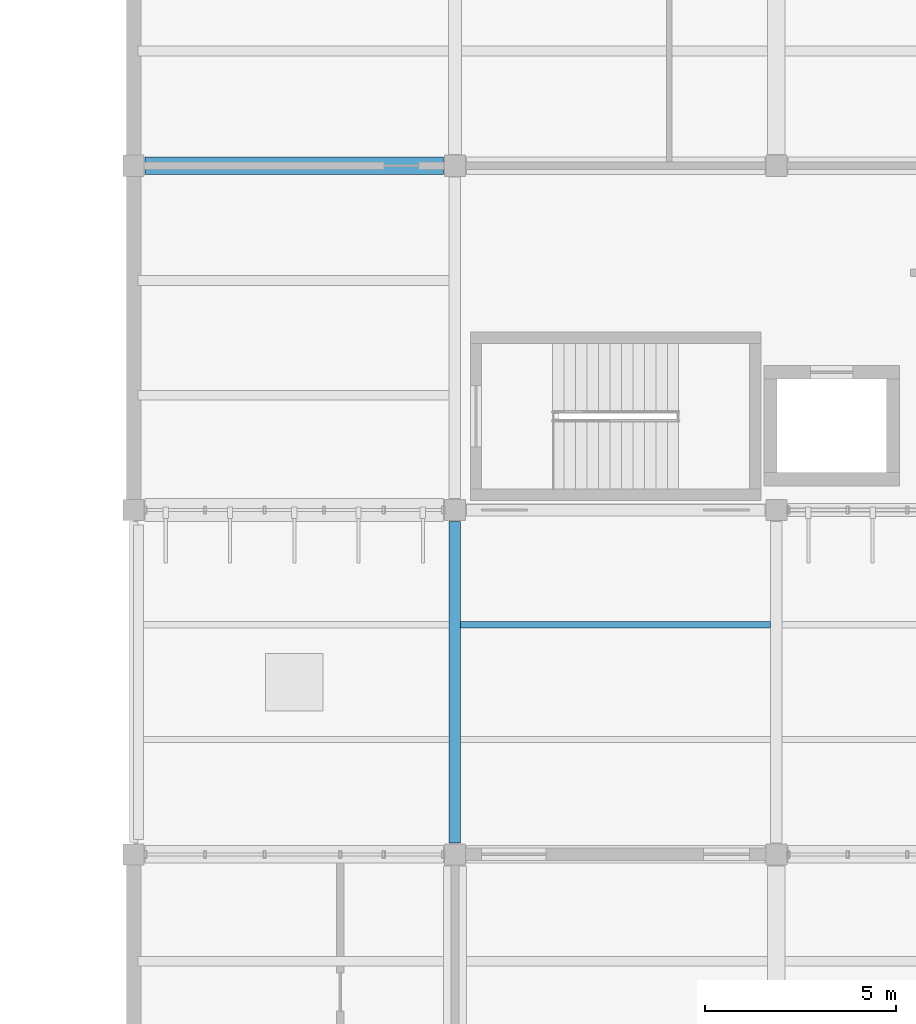
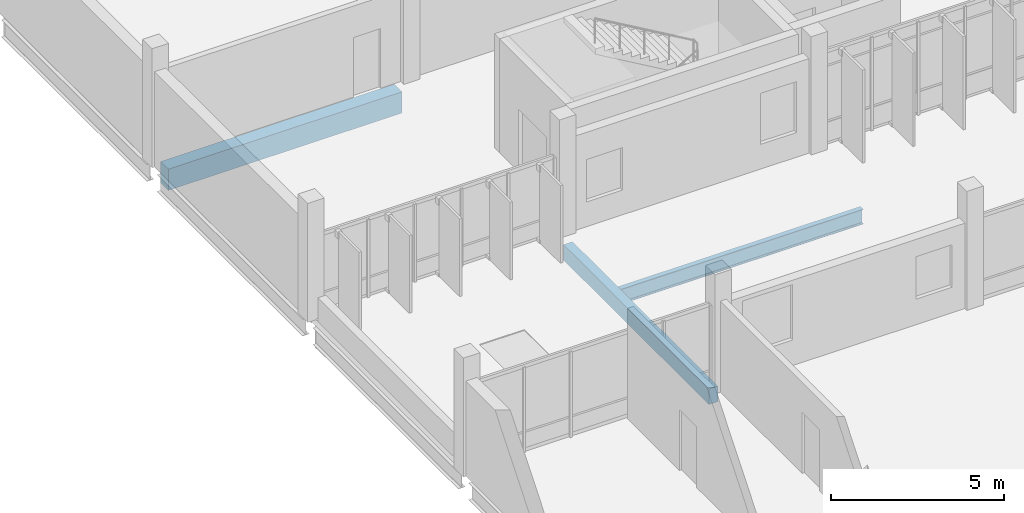
# One storey, part 56 of 130: 3 beams.
"""IFC4 building model written with IfcOpenShell, lengths in metres."""

from ifc_helpers import new_model, si_unit, direction, frame, origin, origin_2d, place, context, subcontext, project, spatial, rectangle, i_section, extrude, material, material_profile, profile_set, type_object, element, save


model = new_model("IFC4")

# Units and contexts
model_context = context("Model", 3, precision=1e-05, world=origin(), true_north=direction((0.0, 1.0)))
body_context = subcontext(model_context, "Body", "Model", "MODEL_VIEW")
ifc_project = project(units=[si_unit("LENGTHUNIT", "METRE"), si_unit("AREAUNIT", "SQUARE_METRE"), si_unit("VOLUMEUNIT", "CUBIC_METRE"), si_unit("PLANEANGLEUNIT", "RADIAN"), si_unit("MASSUNIT", "GRAM", prefix="KILO")], contexts=[model_context])

# Site, building, storey
site_placement = place(None, origin())
site = spatial("IfcSite", under=ifc_project, at=site_placement, CompositionType="ELEMENT")
building_placement = place(site_placement, origin())
building = spatial("IfcBuilding", under=site, at=building_placement, Name="Vireocrest Preparatory School", CompositionType="ELEMENT")
storey_placement = place(building_placement, frame((0.0, 0.0, 9.0)))
storey = spatial("IfcBuildingStorey", under=building, at=storey_placement, Name="L02", CompositionType="ELEMENT", Elevation=9.0)

# Beams
ifc_material_1 = material(Name="Structural steel ASTM A992 Grade 50", Category="steel")
ifc_material_profile_1 = material_profile(ifc_material_1, i_section(OverallWidth=0.166015625, OverallDepth=0.529052734375, WebThickness=0.009765625, FlangeThickness=0.013671875, FilletRadius=0.014892578125, at=origin_2d()), Name="W21X50")
ifc_profile_set_1 = profile_set([ifc_material_profile_1], Name="Structural steel ASTM A992 Grade 50")
beam_type_1 = type_object("IfcBeamType", Name="Pavilion Roof Joist W21X50", PredefinedType="JOIST", material=ifc_profile_set_1)
beam_1_placement = place(storey_placement, frame((50.550048828125, 91.800048828125, -0.484619140625), z_axis=(1.0, 0.0, 0.0), x_axis=(0.0, 1.0, 0.0)))
element("IfcBeam", 1, at=beam_1_placement, inside=storey, type_object=beam_type_1, Name="Secondary Joist SJ1 L02-0923", PredefinedType="JOIST", context=body_context, shape_type="SweptSolid", body=[
    extrude(i_section(OverallWidth=0.166015625, OverallDepth=0.529052734375, WebThickness=0.009765625, FlangeThickness=0.013671875, FilletRadius=0.014892578125, at=origin_2d()), origin(), (0.0, 0.0, 1.0), 8.099853515625),
])
ifc_material_2 = material(Name="Concrete 40 MPa", Category="concrete")
ifc_material_profile_2 = material_profile(ifc_material_2, rectangle(XDim=0.449951171875, YDim=0.75, at=origin_2d()), Name="RC 450x750")
ifc_profile_set_2 = profile_set([ifc_material_profile_2], Name="Concrete 40 MPa")
beam_type_2 = type_object("IfcBeamType", Name="RC Library Stack Girder 450x750", PredefinedType="BEAM", material=ifc_profile_set_2)
beam_2_placement = place(storey_placement, frame((42.300048828125, 103.800048828125, -0.655029296875), z_axis=(1.0, 0.0, 0.0), x_axis=(0.0, 1.0, 0.0)))
element("IfcBeam", 2, at=beam_2_placement, inside=storey, type_object=beam_type_2, Name="Primary Girder B11 L02-0765", PredefinedType="BEAM", context=body_context, shape_type="SweptSolid", body=[
    extrude(rectangle(XDim=0.449951171875, YDim=0.75, at=origin_2d()), origin(), (0.0, 0.0, 1.0), 7.800048828125),
])
ifc_material_profile_3 = material_profile(ifc_material_2, rectangle(XDim=0.300048828125, YDim=0.550048828125, at=origin_2d()), Name="RC 300x550")
ifc_profile_set_3 = profile_set([ifc_material_profile_3], Name="Concrete 40 MPa")
beam_type_3 = type_object("IfcBeamType", Name="RC Roof Girder 300x550", PredefinedType="BEAM", material=ifc_profile_set_3)
beam_3_placement = place(storey_placement, frame((50.39990234375, 86.10009765625, -0.4951171875), z_axis=(0.0, 1.0, 0.0), x_axis=(-1.0, 0.0, 0.0)))
element("IfcBeam", 3, at=beam_3_placement, inside=storey, type_object=beam_type_3, Name="Primary Girder B02 L02-0805", PredefinedType="BEAM", context=body_context, shape_type="SweptSolid", body=[
    extrude(rectangle(XDim=0.300048828125, YDim=0.550048828125, at=origin_2d()), origin(), (0.0, 0.0, 1.0), 8.39990234375),
])

save(model, "model.ifc")
